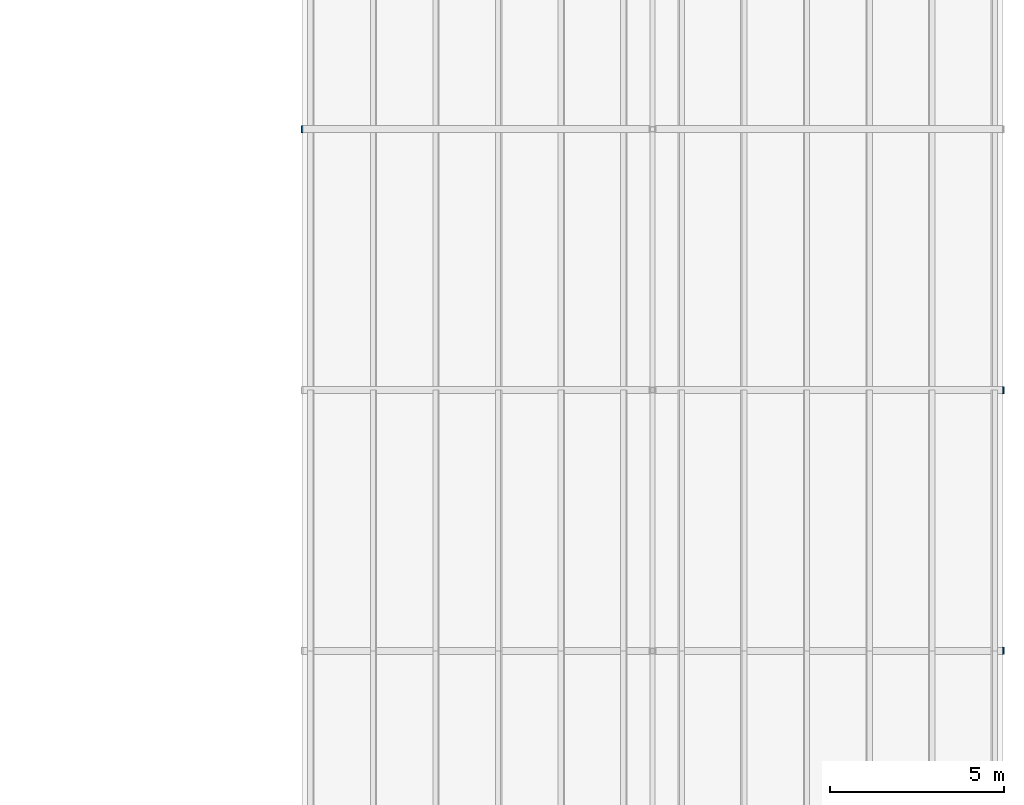
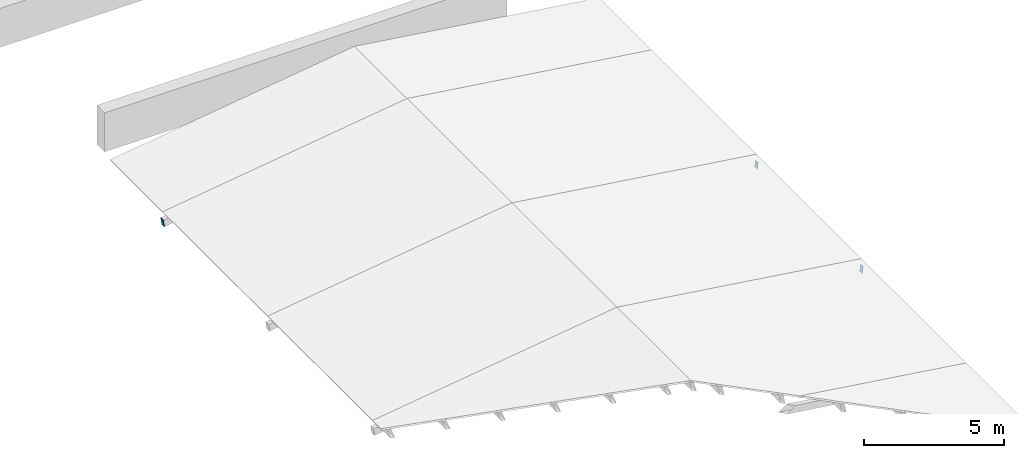
# One storey, part 38 of 52: 3 discrete accessories.
"""IFC4 building model written with IfcOpenShell, lengths in metres."""

from ifc_helpers import new_model, si_unit, direction, frame, origin, origin_2d, place, context, subcontext, project, spatial, rectangle, extrude, material, material_profile, profile_set, type_object, element, save


model = new_model("IFC4")

# Units and contexts
model_context = context("Model", 3, precision=1e-05, world=origin(), true_north=direction((0.0, 1.0)))
body_context = subcontext(model_context, "Body", "Model", "MODEL_VIEW")
ifc_project = project(units=[si_unit("LENGTHUNIT", "METRE"), si_unit("AREAUNIT", "SQUARE_METRE"), si_unit("VOLUMEUNIT", "CUBIC_METRE"), si_unit("PLANEANGLEUNIT", "RADIAN"), si_unit("MASSUNIT", "GRAM", prefix="KILO")], contexts=[model_context])

# Site, building, storey
site_placement = place(None, origin())
site = spatial("IfcSite", under=ifc_project, at=site_placement, CompositionType="ELEMENT")
building_placement = place(site_placement, origin())
building = spatial("IfcBuilding", under=site, at=building_placement, Name="Cour d'Honneur Mobility Palace", CompositionType="ELEMENT")
storey_placement = place(building_placement, frame((0.0, 0.0, 23.0)))
storey = spatial("IfcBuildingStorey", under=building, at=storey_placement, Name="L06", CompositionType="ELEMENT", Elevation=23.0)

# Discrete accessories
ifc_material = material(Name="Steel S355", Category="steel")
ifc_material_profile = material_profile(ifc_material, rectangle(XDim=0.199951171875, YDim=0.300048828125, at=origin_2d()), Name="PL 300x200x10")
ifc_profile_set = profile_set([ifc_material_profile], Name="Steel S355")
discrete_accessory_type = type_object("IfcDiscreteAccessoryType", Name="End cap plate RHS 300x200x12.5", PredefinedType="USERDEFINED", material=ifc_profile_set)
for number, where, z_axis, x_axis, name in (
    (1, (163.675048828125, 84.89990234375, 0.241455078125), (0.992277876714, 0.0, -0.124034734589), (0.0, 1.0, 0.0), "End cap plate EC-TF-S3E-2"),
    (2, (163.675048828125, 92.39990234375, 0.241455078125), (0.992277876714, 0.0, -0.124034734589), (0.0, 1.0, 0.0), "End cap plate EC-TF-S4E-2"),
    (3, (143.51513671875, 99.89990234375, 0.240234375), (0.992277876714, 0.0, 0.124034734589), (0.0, 1.0, 0.0), "End cap plate EC-TF-S5W-1"),
):
    element("IfcDiscreteAccessory", number, at=place(storey_placement, frame(where, z_axis=z_axis, x_axis=x_axis)), inside=storey, type_object=discrete_accessory_type, Name=name, ObjectType="END CAP PLATE", PredefinedType="USERDEFINED", context=body_context, shape_type="SweptSolid", body=[
        extrude(rectangle(XDim=0.199951171875, YDim=0.300048828125, at=origin_2d()), origin(), (0.0, 0.0, 1.0), 0.009765625),
    ])

save(model, "model.ifc")
